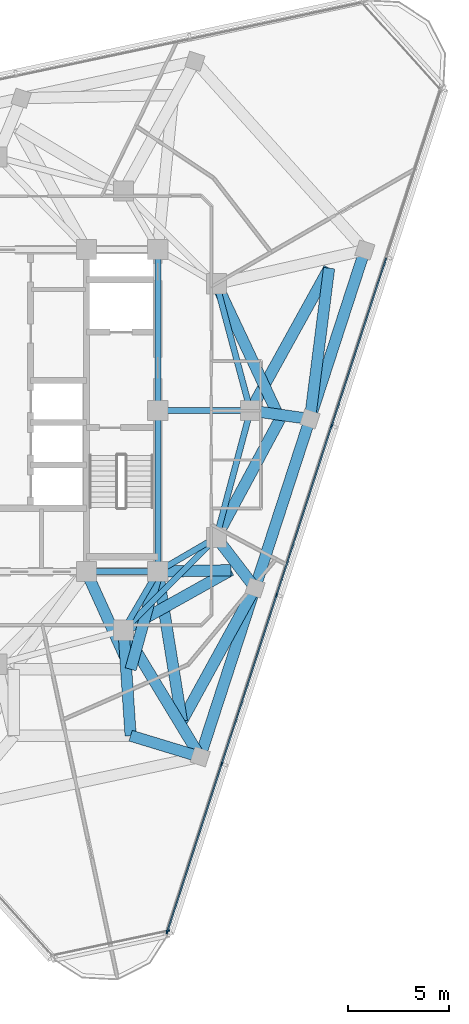
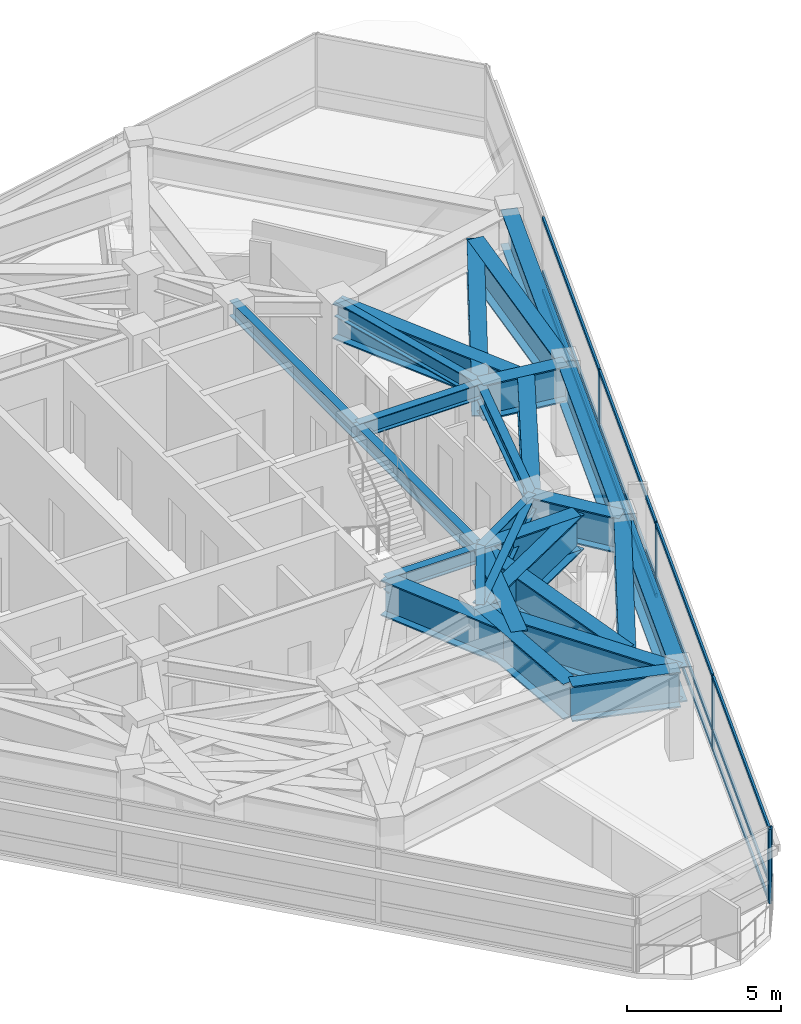
# One storey, part 4 of 15: 27 beams, 17 members, 2 elements without a shape of their own.
"""IFC4 building model written with IfcOpenShell, lengths in metres."""

from ifc_helpers import new_model, si_unit, direction, frame, origin, origin_2d, place, context, subcontext, project, spatial, rectangle, i_section, extrude, material, layer, layer_set, material_profile, profile_set, type_object, element, aggregate, save


model = new_model("IFC4")

# Units and contexts
model_context = context("Model", 3, precision=1e-05, world=origin(), true_north=direction((0.0, 1.0)))
body_context = subcontext(model_context, "Body", "Model", "MODEL_VIEW")
ifc_project = project(units=[si_unit("LENGTHUNIT", "METRE"), si_unit("AREAUNIT", "SQUARE_METRE"), si_unit("VOLUMEUNIT", "CUBIC_METRE"), si_unit("PLANEANGLEUNIT", "RADIAN"), si_unit("MASSUNIT", "GRAM", prefix="KILO")], contexts=[model_context])

# Site, building, storey
site_placement = place(None, origin())
site = spatial("IfcSite", under=ifc_project, at=site_placement, CompositionType="ELEMENT")
building_placement = place(site_placement, origin())
building = spatial("IfcBuilding", under=site, at=building_placement, Name="Terralouvre Media Tower", CompositionType="ELEMENT")
storey_placement = place(building_placement, frame((0.0, 0.0, 309.10009765625)))
storey = spatial("IfcBuildingStorey", under=building, at=storey_placement, Name="L80", CompositionType="ELEMENT", Elevation=309.10009765625)

# Curtain wall, members
ifc_material_1 = material(Name="Low-iron laminated double glazing with solar-control coating", Category="glass")
ifc_layer_1 = layer(ifc_material_1, 0.1650390625, Name="Faceted Glass-Point Crown Curtain Wall CW-06")
ifc_layer_set_1 = layer_set([ifc_layer_1], Name="Low-iron laminated double glazing with solar-control coating")
curtain_wall_type_1 = type_object("IfcCurtainWallType", Name="Faceted Glass-Point Crown Curtain Wall CW-06", PredefinedType="NOTDEFINED", material=ifc_layer_set_1)
curtain_wall_1_placement = place(storey_placement, origin())
curtain_wall_1 = element("IfcCurtainWall", 1, at=curtain_wall_1_placement, inside=storey, type_object=curtain_wall_type_1, Name="L80 Facade Curtain Wall F0", PredefinedType="NOTDEFINED")
ifc_material_2 = material(Name="Anodised extruded aluminium 6063-T6", Category="aluminium")
ifc_material_profile_1 = material_profile(ifc_material_2, rectangle(XDim=0.074951171875, YDim=0.14990234375, at=origin_2d()), Name="ALU 75x150")
ifc_profile_set_1 = profile_set([ifc_material_profile_1], Name="Anodised extruded aluminium 6063-T6")
member_type_1 = type_object("IfcMemberType", Name="Curtain-Wall Horizontal Transom TR-150", PredefinedType="USERDEFINED", material=ifc_profile_set_1)
member_1_placement = place(storey_placement, frame((8.476806640625, -25.87060546875, 0.037353515625), z_axis=(0.309004958377, 0.951060426944, 0.0), x_axis=(-0.951060426944, 0.309004958377, 0.0)))
member_1 = element("IfcMember", 2, at=member_1_placement, type_object=member_type_1, Name="CW-06 transom 1.1", ObjectType="TRANSOM", PredefinedType="USERDEFINED", context=body_context, shape_type="SweptSolid", body=[
    extrude(rectangle(XDim=0.074951171875, YDim=0.14990234375, at=origin_2d()), origin(), (0.0, 0.0, 1.0), 8.71142578125),
])
member_2_placement = place(storey_placement, frame((8.476806640625, -25.87060546875, 0.7998046875), z_axis=(0.309004958377, 0.951060426944, 0.0), x_axis=(-0.951060426944, 0.309004958377, 0.0)))
member_2 = element("IfcMember", 3, at=member_2_placement, type_object=member_type_1, Name="CW-06 transom 1.2", ObjectType="TRANSOM", PredefinedType="USERDEFINED", context=body_context, shape_type="SweptSolid", body=[
    extrude(rectangle(XDim=0.074951171875, YDim=0.14990234375, at=origin_2d()), origin(), (0.0, 0.0, 1.0), 8.71142578125),
])
member_3_placement = place(storey_placement, frame((8.476806640625, -25.87060546875, 2.90234375), z_axis=(0.309004958377, 0.951060426944, 0.0), x_axis=(-0.951060426944, 0.309004958377, 0.0)))
member_3 = element("IfcMember", 4, at=member_3_placement, type_object=member_type_1, Name="CW-06 transom 1.3", ObjectType="TRANSOM", PredefinedType="USERDEFINED", context=body_context, shape_type="SweptSolid", body=[
    extrude(rectangle(XDim=0.074951171875, YDim=0.14990234375, at=origin_2d()), origin(), (0.0, 0.0, 1.0), 8.71142578125),
])
member_4_placement = place(storey_placement, frame((11.19189453125, -17.51416015625, 0.037353515625), z_axis=(0.309019188079, 0.951055803515, 0.0), x_axis=(-0.951055803515, 0.309019188079, 0.0)))
member_4 = element("IfcMember", 5, at=member_4_placement, type_object=member_type_1, Name="CW-06 transom 2.1", ObjectType="TRANSOM", PredefinedType="USERDEFINED", context=body_context, shape_type="SweptSolid", body=[
    extrude(rectangle(XDim=0.074951171875, YDim=0.14990234375, at=origin_2d()), origin(), (0.0, 0.0, 1.0), 8.7490234375),
])
member_5_placement = place(storey_placement, frame((11.19189453125, -17.51416015625, 0.7998046875), z_axis=(0.309019188079, 0.951055803515, 0.0), x_axis=(-0.951055803515, 0.309019188079, 0.0)))
member_5 = element("IfcMember", 6, at=member_5_placement, type_object=member_type_1, Name="CW-06 transom 2.2", ObjectType="TRANSOM", PredefinedType="USERDEFINED", context=body_context, shape_type="SweptSolid", body=[
    extrude(rectangle(XDim=0.074951171875, YDim=0.14990234375, at=origin_2d()), origin(), (0.0, 0.0, 1.0), 8.7490234375),
])
member_6_placement = place(storey_placement, frame((11.19189453125, -17.51416015625, 2.90234375), z_axis=(0.309019188079, 0.951055803515, 0.0), x_axis=(-0.951055803515, 0.309019188079, 0.0)))
member_6 = element("IfcMember", 7, at=member_6_placement, type_object=member_type_1, Name="CW-06 transom 2.3", ObjectType="TRANSOM", PredefinedType="USERDEFINED", context=body_context, shape_type="SweptSolid", body=[
    extrude(rectangle(XDim=0.074951171875, YDim=0.14990234375, at=origin_2d()), origin(), (0.0, 0.0, 1.0), 8.7490234375),
])
member_7_placement = place(storey_placement, frame((13.918701171875, -9.1220703125, 0.037353515625), z_axis=(0.309019188079, 0.951055803515, 0.0), x_axis=(-0.951055803515, 0.309019188079, 0.0)))
member_7 = element("IfcMember", 8, at=member_7_placement, type_object=member_type_1, Name="CW-06 transom 3.1", ObjectType="TRANSOM", PredefinedType="USERDEFINED", context=body_context, shape_type="SweptSolid", body=[
    extrude(rectangle(XDim=0.074951171875, YDim=0.14990234375, at=origin_2d()), origin(), (0.0, 0.0, 1.0), 8.7490234375),
])
member_8_placement = place(storey_placement, frame((13.918701171875, -9.1220703125, 0.7998046875), z_axis=(0.309019188079, 0.951055803515, 0.0), x_axis=(-0.951055803515, 0.309019188079, 0.0)))
member_8 = element("IfcMember", 9, at=member_8_placement, type_object=member_type_1, Name="CW-06 transom 3.2", ObjectType="TRANSOM", PredefinedType="USERDEFINED", context=body_context, shape_type="SweptSolid", body=[
    extrude(rectangle(XDim=0.074951171875, YDim=0.14990234375, at=origin_2d()), origin(), (0.0, 0.0, 1.0), 8.7490234375),
])
member_9_placement = place(storey_placement, frame((13.918701171875, -9.1220703125, 2.90234375), z_axis=(0.309019188079, 0.951055803515, 0.0), x_axis=(-0.951055803515, 0.309019188079, 0.0)))
member_9 = element("IfcMember", 10, at=member_9_placement, type_object=member_type_1, Name="CW-06 transom 3.3", ObjectType="TRANSOM", PredefinedType="USERDEFINED", context=body_context, shape_type="SweptSolid", body=[
    extrude(rectangle(XDim=0.074951171875, YDim=0.14990234375, at=origin_2d()), origin(), (0.0, 0.0, 1.0), 8.7490234375),
])
member_10_placement = place(storey_placement, frame((16.6455078125, -0.72998046875, 0.037353515625), z_axis=(0.309019188079, 0.951055803515, 0.0), x_axis=(-0.951055803515, 0.309019188079, 0.0)))
member_10 = element("IfcMember", 11, at=member_10_placement, type_object=member_type_1, Name="CW-06 transom 4.1", ObjectType="TRANSOM", PredefinedType="USERDEFINED", context=body_context, shape_type="SweptSolid", body=[
    extrude(rectangle(XDim=0.074951171875, YDim=0.14990234375, at=origin_2d()), origin(), (0.0, 0.0, 1.0), 8.7490234375),
])
member_11_placement = place(storey_placement, frame((16.6455078125, -0.72998046875, 0.7998046875), z_axis=(0.309019188079, 0.951055803515, 0.0), x_axis=(-0.951055803515, 0.309019188079, 0.0)))
member_11 = element("IfcMember", 12, at=member_11_placement, type_object=member_type_1, Name="CW-06 transom 4.2", ObjectType="TRANSOM", PredefinedType="USERDEFINED", context=body_context, shape_type="SweptSolid", body=[
    extrude(rectangle(XDim=0.074951171875, YDim=0.14990234375, at=origin_2d()), origin(), (0.0, 0.0, 1.0), 8.7490234375),
])
member_12_placement = place(storey_placement, frame((16.6455078125, -0.72998046875, 2.90234375), z_axis=(0.309019188079, 0.951055803515, 0.0), x_axis=(-0.951055803515, 0.309019188079, 0.0)))
member_12 = element("IfcMember", 13, at=member_12_placement, type_object=member_type_1, Name="CW-06 transom 4.3", ObjectType="TRANSOM", PredefinedType="USERDEFINED", context=body_context, shape_type="SweptSolid", body=[
    extrude(rectangle(XDim=0.074951171875, YDim=0.14990234375, at=origin_2d()), origin(), (0.0, 0.0, 1.0), 8.7490234375),
])
ifc_material_3 = material(Name="Anodised extruded aluminium 6063-T6", Category="aluminium")
ifc_material_profile_2 = material_profile(ifc_material_3, rectangle(XDim=0.074951171875, YDim=0.179931640625, at=origin_2d()), Name="ALU 75x180")
ifc_profile_set_2 = profile_set([ifc_material_profile_2], Name="Anodised extruded aluminium 6063-T6")
member_type_2 = type_object("IfcMemberType", Name="Curtain-Wall Vertical Mullion ML-180", PredefinedType="MULLION", material=ifc_profile_set_2)
member_13_placement = place(storey_placement, frame((8.465087890625, -25.90625, 0.0), z_axis=(0.0, 0.0, 1.0), x_axis=(-0.951056507337, 0.309017021946, 0.0)))
member_13 = element("IfcMember", 14, at=member_13_placement, type_object=member_type_2, Name="CW-06 mullion 1", PredefinedType="MULLION", context=body_context, shape_type="SweptSolid", body=[
    extrude(rectangle(XDim=0.074951171875, YDim=0.179931640625, at=origin_2d()), origin(), (0.0, 0.0, 1.0), 2.93994140625),
])
member_14_placement = place(storey_placement, frame((11.180419921875, -17.5498046875, 0.0), z_axis=(0.0, 0.0, 1.0), x_axis=(-0.951056507337, 0.309017021946, 0.0)))
member_14 = element("IfcMember", 15, at=member_14_placement, type_object=member_type_2, Name="CW-06 mullion 2", PredefinedType="MULLION", context=body_context, shape_type="SweptSolid", body=[
    extrude(rectangle(XDim=0.074951171875, YDim=0.179931640625, at=origin_2d()), origin(), (0.0, 0.0, 1.0), 2.93994140625),
])
member_15_placement = place(storey_placement, frame((13.9072265625, -9.15771484375, 0.0), z_axis=(0.0, 0.0, 1.0), x_axis=(-0.951056507337, 0.309017021946, 0.0)))
member_15 = element("IfcMember", 16, at=member_15_placement, type_object=member_type_2, Name="CW-06 mullion 3", PredefinedType="MULLION", context=body_context, shape_type="SweptSolid", body=[
    extrude(rectangle(XDim=0.074951171875, YDim=0.179931640625, at=origin_2d()), origin(), (0.0, 0.0, 1.0), 2.93994140625),
])
member_16_placement = place(storey_placement, frame((16.6337890625, -0.765625, 0.0), z_axis=(0.0, 0.0, 1.0), x_axis=(-0.951056507337, 0.309017021946, 0.0)))
member_16 = element("IfcMember", 17, at=member_16_placement, type_object=member_type_2, Name="CW-06 mullion 4", PredefinedType="MULLION", context=body_context, shape_type="SweptSolid", body=[
    extrude(rectangle(XDim=0.074951171875, YDim=0.179931640625, at=origin_2d()), origin(), (0.0, 0.0, 1.0), 2.93994140625),
])
aggregate(curtain_wall_1, [member_13, member_14, member_15, member_16, member_1, member_2, member_3, member_4, member_5, member_6, member_7, member_8, member_9, member_10, member_11, member_12])

# Curtain wall, member
ifc_material_4 = material(Name="Low-iron laminated double glazing with solar-control coating", Category="glass")
ifc_layer_2 = layer(ifc_material_4, 0.1650390625, Name="Rounded Wind-Corner Curved Glazing CW-04")
ifc_layer_set_2 = layer_set([ifc_layer_2], Name="Low-iron laminated double glazing with solar-control coating")
curtain_wall_type_2 = type_object("IfcCurtainWallType", Name="Rounded Wind-Corner Curved Glazing CW-04", PredefinedType="NOTDEFINED", material=ifc_layer_set_2)
curtain_wall_2_placement = place(storey_placement, origin())
curtain_wall_2 = element("IfcCurtainWall", 18, at=curtain_wall_2_placement, inside=storey, type_object=curtain_wall_type_2, Name="L80 Rounded Wind-Corner Curtain Wall C0", PredefinedType="NOTDEFINED")
member_17_placement = place(storey_placement, frame((8.501953125, -25.849853515625, 0.0), z_axis=(0.0, 0.0, 1.0), x_axis=(-0.207911647592, 0.978147609922, 0.0)))
member_17 = element("IfcMember", 19, at=member_17_placement, type_object=member_type_2, Name="CW-04 mullion 2", PredefinedType="MULLION", context=body_context, shape_type="SweptSolid", body=[
    extrude(rectangle(XDim=0.074951171875, YDim=0.179931640625, at=origin_2d()), origin(), (0.0, 0.0, 1.0), 2.93994140625),
])
aggregate(curtain_wall_2, [member_17])

# Beams
ifc_material_5 = material(Name="Structural steel S460M", Category="steel")
ifc_material_profile_3 = material_profile(ifc_material_5, i_section(OverallWidth=0.300048828125, OverallDepth=0.60009765625, WebThickness=0.015380859375, FlangeThickness=0.030029296875, at=origin_2d()), Name="HEB 600")
ifc_profile_set_3 = profile_set([ifc_material_profile_3], Name="Structural steel S460M")
beam_type_1 = type_object("IfcBeamType", Name="Primary Floor Girder B-HEB600 (HEB 600)", PredefinedType="BEAM", material=ifc_profile_set_3)
beam_1_placement = place(storey_placement, frame((4.449951171875, -8.0, 3.139892578125), z_axis=(1.0, 0.0, 0.0), x_axis=(0.0, 1.0, 0.0)))
element("IfcBeam", 20, at=beam_1_placement, inside=storey, type_object=beam_type_1, Name="L80 Framing Beam BM-L80-CPR03", PredefinedType="BEAM", context=body_context, shape_type="SweptSolid", body=[
    extrude(i_section(OverallWidth=0.300048828125, OverallDepth=0.60009765625, WebThickness=0.015380859375, FlangeThickness=0.030029296875, at=origin_2d()), origin(), (0.0, 0.0, 1.0), 3.550048828125),
])
for number, where, z_axis, x_axis, name in (
    (21, (8.0, -8.0, 3.139892578125), (0.0, 1.0, 0.0), (-1.0, 0.0, 0.0), "L80 Framing Beam BM-L80-CPR04"),
    (22, (8.0, 0.0, 3.139892578125), (0.0, 1.0, 0.0), (-1.0, 0.0, 0.0), "L80 Framing Beam BM-L80-CPR05"),
):
    element("IfcBeam", number, at=place(storey_placement, frame(where, z_axis=z_axis, x_axis=x_axis)), inside=storey, type_object=beam_type_1, Name=name, PredefinedType="BEAM", context=body_context, shape_type="SweptSolid", body=[
        extrude(i_section(OverallWidth=0.300048828125, OverallDepth=0.60009765625, WebThickness=0.015380859375, FlangeThickness=0.030029296875, at=origin_2d()), origin(), (0.0, 0.0, 1.0), 8.0),
    ])
beam_2_placement = place(storey_placement, frame((6.300048828125, -10.911865234375, 3.139892578125), z_axis=(0.707106781187, 0.707106781187, 0.0), x_axis=(-0.707106781187, 0.707106781187, 0.0)))
element("IfcBeam", 23, at=beam_2_placement, inside=storey, type_object=beam_type_1, Name="L80 Framing Beam BM-L80-MR04", PredefinedType="BEAM", context=body_context, shape_type="SweptSolid", body=[
    extrude(i_section(OverallWidth=0.300048828125, OverallDepth=0.60009765625, WebThickness=0.015380859375, FlangeThickness=0.030029296875, at=origin_2d()), origin(), (0.0, 0.0, 1.0), 6.52197265625),
])
for number, where, z_axis, x_axis, name in (
    (24, (10.911865234375, -6.300048828125, 3.139892578125), (0.258838989821, 0.965920481897, 0.0), (-0.965920481897, 0.258838989821, 0.0), "L80 Framing Beam BM-L80-MR05"),
    (25, (12.60009765625, 0.0, 3.139892578125), (-0.258838989821, 0.965920481897, 0.0), (-0.965920481897, -0.258838989821, 0.0), "L80 Framing Beam BM-L80-MR06"),
):
    element("IfcBeam", number, at=place(storey_placement, frame(where, z_axis=z_axis, x_axis=x_axis)), inside=storey, type_object=beam_type_1, Name=name, PredefinedType="BEAM", context=body_context, shape_type="SweptSolid", body=[
        extrude(i_section(OverallWidth=0.300048828125, OverallDepth=0.60009765625, WebThickness=0.015380859375, FlangeThickness=0.030029296875, at=origin_2d()), origin(), (0.0, 0.0, 1.0), 6.522216796875),
    ])
for number, where, z_axis, x_axis, name in (
    (26, (8.0, -8.0, 3.139892578125), (-0.504172629717, -0.863602894532, 0.0), (0.863602894532, -0.504172629717, 0.0), "L80 Framing Beam BM-L80-CM04"),
    (27, (8.0, -8.0, 3.139892578125), (0.863602894532, 0.504172629717, 0.0), (-0.504172629717, 0.863602894532, 0.0), "L80 Framing Beam BM-L80-CM05"),
):
    element("IfcBeam", number, at=place(storey_placement, frame(where, z_axis=z_axis, x_axis=x_axis)), inside=storey, type_object=beam_type_1, Name=name, PredefinedType="BEAM", context=body_context, shape_type="SweptSolid", body=[
        extrude(i_section(OverallWidth=0.300048828125, OverallDepth=0.60009765625, WebThickness=0.015380859375, FlangeThickness=0.030029296875, at=origin_2d()), origin(), (0.0, 0.0, 1.0), 3.371826171875),
    ])
beam_3_placement = place(storey_placement, frame((8.0, 0.0, 3.139892578125), z_axis=(1.0, 0.0, 0.0), x_axis=(0.0, 1.0, 0.0)))
element("IfcBeam", 28, at=beam_3_placement, inside=storey, type_object=beam_type_1, Name="L80 Framing Beam BM-L80-CM06", PredefinedType="BEAM", context=body_context, shape_type="SweptSolid", body=[
    extrude(i_section(OverallWidth=0.300048828125, OverallDepth=0.60009765625, WebThickness=0.015380859375, FlangeThickness=0.030029296875, at=origin_2d()), origin(), (0.0, 0.0, 1.0), 4.60009765625),
])
ifc_material_6 = material(Name="Structural steel S460M", Category="steel")
ifc_material_profile_4 = material_profile(ifc_material_6, i_section(OverallWidth=0.56005859375, OverallDepth=1.39990234375, WebThickness=0.031982421875, FlangeThickness=0.050048828125, at=origin_2d()), Name="TG 1400x560")
ifc_profile_set_4 = profile_set([ifc_material_profile_4], Name="Structural steel S460M")
beam_type_2 = type_object("IfcBeamType", Name="Welded Transfer Girder TG-1400 (TG 1400x560)", PredefinedType="USERDEFINED", material=ifc_profile_set_4)
for number, where, z_axis, x_axis, name in (
    (29, (10.105712890625, -17.20068359375, 2.739990234375), (0.309022258842, 0.95105480575, 0.0), (-0.95105480575, 0.309022258842, 0.0), "L80 Framing Beam BM-L80-PR05"),
    (30, (12.83251953125, -8.80859375, 2.739990234375), (0.308997232802, 0.951062936992, 0.0), (-0.951062936992, 0.308997232802, 0.0), "L80 Framing Beam BM-L80-PR06"),
):
    element("IfcBeam", number, at=place(storey_placement, frame(where, z_axis=z_axis, x_axis=x_axis)), inside=storey, type_object=beam_type_2, Name=name, ObjectType="TRANSFER GIRDER", PredefinedType="USERDEFINED", context=body_context, shape_type="SweptSolid", body=[
        extrude(i_section(OverallWidth=0.56005859375, OverallDepth=1.39990234375, WebThickness=0.031982421875, FlangeThickness=0.050048828125, at=origin_2d()), origin(), (0.0, 0.0, 1.0), 8.823974609375),
    ])
beam_4_placement = place(storey_placement, frame((15.55908203125, -0.41650390625, 2.739990234375), z_axis=(0.309014127542, 0.951057447781, 0.0), x_axis=(-0.951057447781, 0.309014127542, 0.0)))
element("IfcBeam", 31, at=beam_4_placement, inside=storey, type_object=beam_type_2, Name="L80 Framing Beam BM-L80-PR07", ObjectType="TRANSFER GIRDER", PredefinedType="USERDEFINED", context=body_context, shape_type="SweptSolid", body=[
    extrude(i_section(OverallWidth=0.56005859375, OverallDepth=1.39990234375, WebThickness=0.031982421875, FlangeThickness=0.050048828125, at=origin_2d()), origin(), (0.0, 0.0, 1.0), 8.82421875),
])
beam_5_placement = place(storey_placement, frame((6.300048828125, -10.911865234375, 2.739990234375), z_axis=(0.517730392552, -0.855543827415, 0.0), x_axis=(0.855543827415, 0.517730392552, 0.0)))
element("IfcBeam", 32, at=beam_5_placement, inside=storey, type_object=beam_type_2, Name="L80 Framing Beam BM-L80-RD05", ObjectType="TRANSFER GIRDER", PredefinedType="USERDEFINED", context=body_context, shape_type="SweptSolid", body=[
    extrude(i_section(OverallWidth=0.56005859375, OverallDepth=1.39990234375, WebThickness=0.031982421875, FlangeThickness=0.050048828125, at=origin_2d()), origin(), (0.0, 0.0, 1.0), 7.3505859375),
])
beam_6_placement = place(storey_placement, frame((10.911865234375, -6.300048828125, 2.739990234375), z_axis=(0.607920398404, -0.793997978086, 0.0), x_axis=(0.793997978086, 0.607920398404, 0.0)))
element("IfcBeam", 33, at=beam_6_placement, inside=storey, type_object=beam_type_2, Name="L80 Framing Beam BM-L80-RD06", ObjectType="TRANSFER GIRDER", PredefinedType="USERDEFINED", context=body_context, shape_type="SweptSolid", body=[
    extrude(i_section(OverallWidth=0.56005859375, OverallDepth=1.39990234375, WebThickness=0.031982421875, FlangeThickness=0.050048828125, at=origin_2d()), origin(), (0.0, 0.0, 1.0), 3.159423828125),
])
beam_7_placement = place(storey_placement, frame((12.60009765625, 0.0, 2.739990234375), z_axis=(0.990238261961, -0.139385022682, 0.0), x_axis=(0.139385022682, 0.990238261961, 0.0)))
element("IfcBeam", 34, at=beam_7_placement, inside=storey, type_object=beam_type_2, Name="L80 Framing Beam BM-L80-RD07", ObjectType="TRANSFER GIRDER", PredefinedType="USERDEFINED", context=body_context, shape_type="SweptSolid", body=[
    extrude(i_section(OverallWidth=0.56005859375, OverallDepth=1.39990234375, WebThickness=0.031982421875, FlangeThickness=0.050048828125, at=origin_2d()), origin(), (0.0, 0.0, 1.0), 2.988037109375),
])
beam_8_placement = place(storey_placement, frame((9.197509765625, -15.429443359375, 2.739990234375), z_axis=(-0.159130438244, 0.987257567013, 0.0), x_axis=(-0.987257567013, -0.159130438244, 0.0)))
element("IfcBeam", 35, at=beam_8_placement, inside=storey, type_object=beam_type_2, Name="L80 Framing Beam BM-L80-TR01S1", ObjectType="TRANSFER GIRDER", PredefinedType="USERDEFINED", context=body_context, shape_type="SweptSolid", body=[
    extrude(i_section(OverallWidth=0.56005859375, OverallDepth=1.39990234375, WebThickness=0.031982421875, FlangeThickness=0.050048828125, at=origin_2d()), origin(), (0.0, 0.0, 1.0), 7.525390625),
])
beam_9_placement = place(storey_placement, frame((9.197509765625, -15.429443359375, 2.739990234375), z_axis=(0.48126222118, 0.87657667917, 0.0), x_axis=(-0.87657667917, 0.48126222118, 0.0)))
element("IfcBeam", 36, at=beam_9_placement, inside=storey, type_object=beam_type_2, Name="L80 Framing Beam BM-L80-TR01S2", ObjectType="TRANSFER GIRDER", PredefinedType="USERDEFINED", context=body_context, shape_type="SweptSolid", body=[
    extrude(i_section(OverallWidth=0.56005859375, OverallDepth=1.39990234375, WebThickness=0.031982421875, FlangeThickness=0.050048828125, at=origin_2d()), origin(), (0.0, 0.0, 1.0), 7.552978515625),
])
beam_10_placement = place(storey_placement, frame((11.635009765625, -7.927490234375, 2.739990234375), z_axis=(-0.999801105735, -0.019943644866, 0.0), x_axis=(0.019943644866, -0.999801105735, 0.0)))
element("IfcBeam", 37, at=beam_10_placement, inside=storey, type_object=beam_type_2, Name="L80 Framing Beam BM-L80-TR02S1", ObjectType="TRANSFER GIRDER", PredefinedType="USERDEFINED", context=body_context, shape_type="SweptSolid", body=[
    extrude(i_section(OverallWidth=0.56005859375, OverallDepth=1.39990234375, WebThickness=0.031982421875, FlangeThickness=0.050048828125, at=origin_2d()), origin(), (0.0, 0.0, 1.0), 3.6357421875),
])
beam_11_placement = place(storey_placement, frame((11.635009765625, -7.927490234375, 2.739990234375), z_axis=(-0.872729306208, -0.488204422436, 0.0), x_axis=(0.488204422436, -0.872729306208, 0.0)))
element("IfcBeam", 38, at=beam_11_placement, inside=storey, type_object=beam_type_2, Name="L80 Framing Beam BM-L80-TR02S2", ObjectType="TRANSFER GIRDER", PredefinedType="USERDEFINED", context=body_context, shape_type="SweptSolid", body=[
    extrude(i_section(OverallWidth=0.56005859375, OverallDepth=1.39990234375, WebThickness=0.031982421875, FlangeThickness=0.050048828125, at=origin_2d()), origin(), (0.0, 0.0, 1.0), 6.113037109375),
])
beam_12_placement = place(storey_placement, frame((14.072509765625, -0.425537109375, 2.739990234375), z_axis=(-0.473802979656, -0.880630874129, 0.0), x_axis=(0.880630874129, -0.473802979656, 0.0)))
element("IfcBeam", 39, at=beam_12_placement, inside=storey, type_object=beam_type_2, Name="L80 Framing Beam BM-L80-TR03S1", ObjectType="TRANSFER GIRDER", PredefinedType="USERDEFINED", context=body_context, shape_type="SweptSolid", body=[
    extrude(i_section(OverallWidth=0.56005859375, OverallDepth=1.39990234375, WebThickness=0.031982421875, FlangeThickness=0.050048828125, at=origin_2d()), origin(), (0.0, 0.0, 1.0), 6.6708984375),
])
beam_13_placement = place(storey_placement, frame((14.072509765625, -0.425537109375, 2.739990234375), z_axis=(-0.425319161161, 0.905043430532, 0.0), x_axis=(-0.905043430532, -0.425319161161, 0.0)))
element("IfcBeam", 40, at=beam_13_placement, inside=storey, type_object=beam_type_2, Name="L80 Framing Beam BM-L80-TR03S2", ObjectType="TRANSFER GIRDER", PredefinedType="USERDEFINED", context=body_context, shape_type="SweptSolid", body=[
    extrude(i_section(OverallWidth=0.56005859375, OverallDepth=1.39990234375, WebThickness=0.031982421875, FlangeThickness=0.050048828125, at=origin_2d()), origin(), (0.0, 0.0, 1.0), 7.43115234375),
])
beam_14_placement = place(storey_placement, frame((16.51025390625, 7.076416015625, 2.739990234375), z_axis=(-0.125932142651, -0.992038857831, 0.0), x_axis=(0.992038857831, -0.125932142651, 0.0)))
element("IfcBeam", 41, at=beam_14_placement, inside=storey, type_object=beam_type_2, Name="L80 Framing Beam BM-L80-TR04S1", ObjectType="TRANSFER GIRDER", PredefinedType="USERDEFINED", context=body_context, shape_type="SweptSolid", body=[
    extrude(i_section(OverallWidth=0.56005859375, OverallDepth=1.39990234375, WebThickness=0.031982421875, FlangeThickness=0.050048828125, at=origin_2d()), origin(), (0.0, 0.0, 1.0), 7.552978515625),
])
beam_15_placement = place(storey_placement, frame((16.51025390625, 7.076416015625, 2.739990234375), z_axis=(-0.483639237167, -0.875267438142, 0.0), x_axis=(0.875267438142, -0.483639237167, 0.0)))
element("IfcBeam", 42, at=beam_15_placement, inside=storey, type_object=beam_type_2, Name="L80 Framing Beam BM-L80-TR04S2", ObjectType="TRANSFER GIRDER", PredefinedType="USERDEFINED", context=body_context, shape_type="SweptSolid", body=[
    extrude(i_section(OverallWidth=0.56005859375, OverallDepth=1.39990234375, WebThickness=0.031982421875, FlangeThickness=0.050048828125, at=origin_2d()), origin(), (0.0, 0.0, 1.0), 8.0849609375),
])
beam_16_placement = place(storey_placement, frame((6.64990234375, -16.14990234375, 2.739990234375), z_axis=(0.956749975258, -0.290911472519, 0.0), x_axis=(0.290911472519, 0.956749975258, 0.0)))
element("IfcBeam", 43, at=beam_16_placement, inside=storey, type_object=beam_type_2, Name="L80 Framing Beam BM-L80-TR19S1", ObjectType="TRANSFER GIRDER", PredefinedType="USERDEFINED", context=body_context, shape_type="SweptSolid", body=[
    extrude(i_section(OverallWidth=0.56005859375, OverallDepth=1.39990234375, WebThickness=0.031982421875, FlangeThickness=0.050048828125, at=origin_2d()), origin(), (0.0, 0.0, 1.0), 3.612060546875),
])
beam_17_placement = place(storey_placement, frame((6.64990234375, -16.14990234375, 2.739990234375), z_axis=(-0.066642476119, 0.997776919144, 0.0), x_axis=(-0.997776919144, -0.066642476119, 0.0)))
element("IfcBeam", 44, at=beam_17_placement, inside=storey, type_object=beam_type_2, Name="L80 Framing Beam BM-L80-TR19S2", ObjectType="TRANSFER GIRDER", PredefinedType="USERDEFINED", context=body_context, shape_type="SweptSolid", body=[
    extrude(i_section(OverallWidth=0.56005859375, OverallDepth=1.39990234375, WebThickness=0.031982421875, FlangeThickness=0.050048828125, at=origin_2d()), origin(), (0.0, 0.0, 1.0), 5.249755859375),
])
beam_18_placement = place(storey_placement, frame((6.64990234375, -12.85009765625, 2.739990234375), z_axis=(0.268169054478, 0.963371869124, 0.0), x_axis=(-0.963371869124, 0.268169054478, 0.0)))
element("IfcBeam", 45, at=beam_18_placement, inside=storey, type_object=beam_type_2, Name="L80 Framing Beam BM-L80-TR20S1", ObjectType="TRANSFER GIRDER", PredefinedType="USERDEFINED", context=body_context, shape_type="SweptSolid", body=[
    extrude(i_section(OverallWidth=0.56005859375, OverallDepth=1.39990234375, WebThickness=0.031982421875, FlangeThickness=0.050048828125, at=origin_2d()), origin(), (0.0, 0.0, 1.0), 5.034423828125),
])
beam_19_placement = place(storey_placement, frame((6.64990234375, -12.85009765625, 2.739990234375), z_axis=(-0.413080961981, 0.910694305928, 0.0), x_axis=(-0.910694305928, -0.413080961981, 0.0)))
element("IfcBeam", 46, at=beam_19_placement, inside=storey, type_object=beam_type_2, Name="L80 Framing Beam BM-L80-TR20S2", ObjectType="TRANSFER GIRDER", PredefinedType="USERDEFINED", context=body_context, shape_type="SweptSolid", body=[
    extrude(i_section(OverallWidth=0.56005859375, OverallDepth=1.39990234375, WebThickness=0.031982421875, FlangeThickness=0.050048828125, at=origin_2d()), origin(), (0.0, 0.0, 1.0), 5.32568359375),
])

save(model, "model.ifc")
